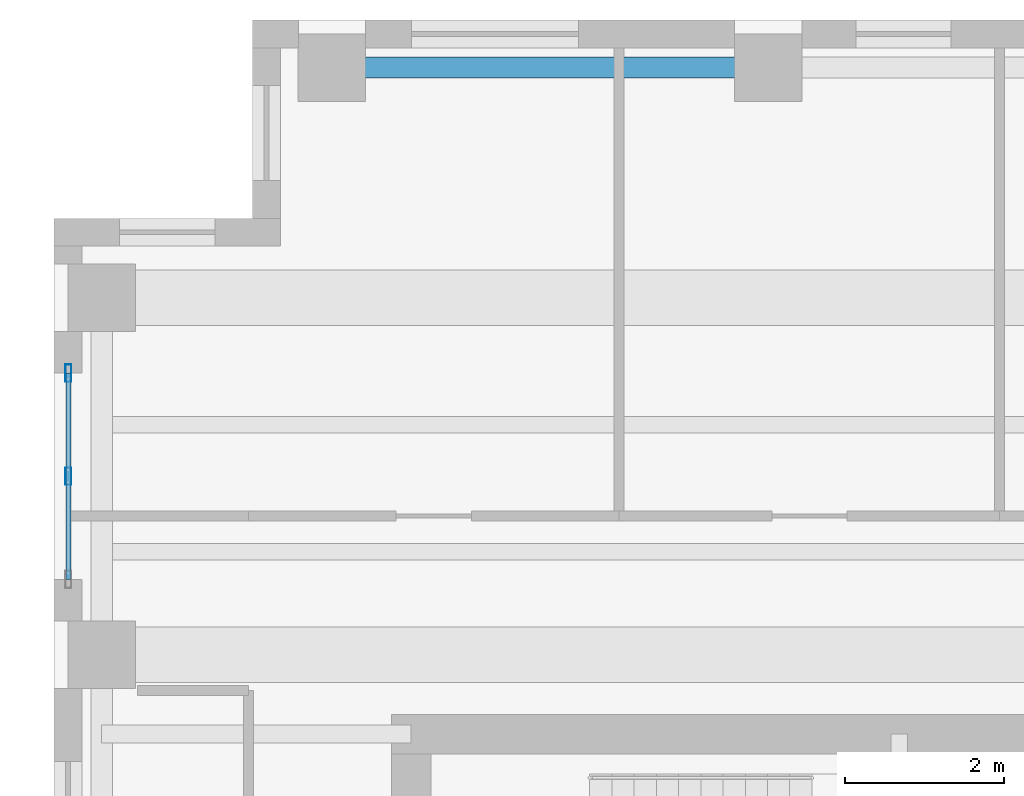
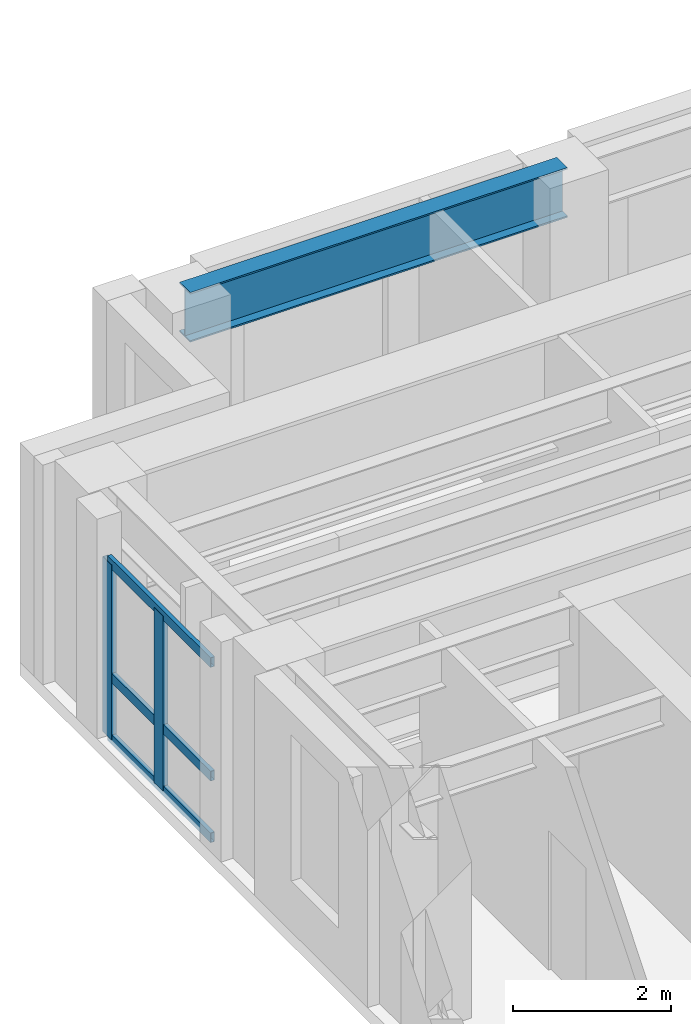
# One storey, part 4 of 13: 5 members, 1 beam, 1 element without a shape of its own.
"""IFC4 building model written with IfcOpenShell, lengths in metres."""

import ifcopenshell
import ifcopenshell.guid

model = None  # the IFC model being written
_history = None  # IfcOwnerHistory: only IFC2X3 demands one
_inside = {}  # id of a spatial element -> (the spatial element, [elements in it])
_under = {}  # id of a project, library or spatial element -> (it, [spatial elements below it])
_declared = {}  # id of a project -> (the project, [libraries it declares])
_typed = {}  # id of a type object -> (the type object, [elements of that type])
_made_of = {}  # id of a material, layer set ... -> (it, [elements and type objects made of it])


def new_model(schema):
    """Start an empty IFC model of exactly this schema.

    Asked for "IFC4X3", IfcOpenShell would pick the latest addendum, in which some entities
    have other attributes; the version numbers below select the first issue.
    IFC2X3 requires an IfcOwnerHistory on every rooted entity: one is made here for all.
    """
    global model, _history
    if schema == "IFC4X3":
        model = ifcopenshell.file(schema_version=(4, 3, 0, 0))
    else:
        model = ifcopenshell.file(schema=schema)
    _inside.clear()
    _under.clear()
    _declared.clear()
    _typed.clear()
    _made_of.clear()
    _history = None
    if model.schema == "IFC2X3":
        org = make("IfcOrganization", Name="unknown")
        user = make(
            "IfcPersonAndOrganization",
            ThePerson=make("IfcPerson", FamilyName="unknown"),
            TheOrganization=org,
        )
        app = make(
            "IfcApplication",
            ApplicationDeveloper=org,
            Version="unknown",
            ApplicationFullName="unknown",
            ApplicationIdentifier="unknown",
        )
        _history = make(
            "IfcOwnerHistory",
            OwningUser=user,
            OwningApplication=app,
            ChangeAction="ADDED",
            CreationDate=0,
        )
    return model


def make(cls, **values):
    """One entity of the class cls with the attributes given. An attribute that is None is left unset."""
    return model.create_entity(
        cls, **{name: value for name, value in values.items() if value is not None}
    )


def rooted(cls, **values):
    """An entity with a GlobalId (a new one), such as an element, a storey or a relation."""
    return make(cls, GlobalId=ifcopenshell.guid.new(), OwnerHistory=_history, **values)


def si_unit(unit_type, name, prefix=None):
    """IfcSIUnit, for example si_unit("LENGTHUNIT", "METRE", prefix="MILLI")."""
    return make("IfcSIUnit", UnitType=unit_type, Prefix=prefix, Name=name)


def assignment(units):
    """IfcUnitAssignment: the units of a project."""
    return None if units is None else make("IfcUnitAssignment", Units=units)


def point(xyz):
    """IfcCartesianPoint."""
    return None if xyz is None else make("IfcCartesianPoint", Coordinates=xyz)


def direction(xyz):
    """IfcDirection."""
    return None if xyz is None else make("IfcDirection", DirectionRatios=xyz)


def frame(location, z_axis=None, x_axis=None):
    """IfcAxis2Placement3D, a coordinate frame: its origin and axes. An axis left out is left unset."""
    return make(
        "IfcAxis2Placement3D",
        Location=point(location),
        Axis=direction(z_axis),
        RefDirection=direction(x_axis),
    )


def frame_2d(location, x_axis=None):
    """IfcAxis2Placement2D, a coordinate frame in the plane: its origin and x axis."""
    return make(
        "IfcAxis2Placement2D", Location=point(location), RefDirection=direction(x_axis)
    )


def origin():
    """The frame at (0, 0, 0) with its axes left unset."""
    return frame((0.0, 0.0, 0.0))


def origin_2d():
    """The frame at (0, 0) in the plane with its x axis left unset."""
    return frame_2d((0.0, 0.0))


def place(relative_to, where):
    """IfcLocalPlacement: puts the frame where relative to a parent placement (None: the world)."""
    return make(
        "IfcLocalPlacement", PlacementRelTo=relative_to, RelativePlacement=where
    )


def context(
    kind, dimensions, precision=None, world=None, true_north=None, identifier=None
):
    """IfcGeometricRepresentationContext, for example the 3D "Model" context."""
    return make(
        "IfcGeometricRepresentationContext",
        ContextIdentifier=identifier,
        ContextType=kind,
        CoordinateSpaceDimension=dimensions,
        Precision=precision,
        WorldCoordinateSystem=world,
        TrueNorth=true_north,
    )


def subcontext(parent, identifier, kind, view, scale=None):
    """IfcGeometricRepresentationSubContext, for example "Body" below "Model"."""
    return make(
        "IfcGeometricRepresentationSubContext",
        ContextIdentifier=identifier,
        ContextType=kind,
        ParentContext=parent,
        TargetScale=scale,
        TargetView=view,
    )


def project(units=None, contexts=None):
    """IfcProject with its units and contexts."""
    return rooted(
        "IfcProject",
        Name="project",
        RepresentationContexts=contexts,
        UnitsInContext=assignment(units),
    )


def spatial(cls, under=None, at=None, **own):
    """A site, building, storey or space (cls), placed at a placement, below another one or the project."""
    s = rooted(cls, ObjectPlacement=at, **own)
    if under is not None:
        _under.setdefault(under.id(), (under, []))[1].append(s)
    return s


def profile(cls, at=None, kind="AREA", **sizes):
    """A parametric profile (cls). Its sizes go by their IFC names, for example OverallWidth=200.0."""
    return make(cls, ProfileType=kind, Position=at, **sizes)


def hollow_rectangle(**sizes):
    """IfcRectangleHollowProfileDef."""
    return profile("IfcRectangleHollowProfileDef", **sizes)


def i_section(**sizes):
    """IfcIShapeProfileDef."""
    return profile("IfcIShapeProfileDef", **sizes)


def extrude(swept, where, along, depth):
    """IfcExtrudedAreaSolid: the profile swept, set in the frame where, extruded along a direction by depth."""
    return make(
        "IfcExtrudedAreaSolid",
        SweptArea=swept,
        Position=where,
        ExtrudedDirection=direction(along),
        Depth=depth,
    )


def shape(context_of_items, identifier, shape_type, items):
    """IfcShapeRepresentation: the items that make up one representation, for example the "Body"."""
    return make(
        "IfcShapeRepresentation",
        ContextOfItems=context_of_items,
        RepresentationIdentifier=identifier,
        RepresentationType=shape_type,
        Items=items,
    )


def source(mapping_origin, context_of_items, identifier, shape_type, items):
    """IfcRepresentationMap: a shape defined once, which mapped items show again and again."""
    return make(
        "IfcRepresentationMap",
        MappingOrigin=mapping_origin,
        MappedRepresentation=shape(context_of_items, identifier, shape_type, items),
    )


def transform(
    local_origin,
    x_axis=None,
    y_axis=None,
    z_axis=None,
    scale=None,
    scale2=None,
    scale3=None,
    uniform=True,
):
    """IfcCartesianTransformationOperator3D, or its non-uniform kind. x_axis, y_axis, z_axis: its Axis1, 2, 3."""
    if uniform:
        return make(
            "IfcCartesianTransformationOperator3D",
            Axis1=direction(x_axis),
            Axis2=direction(y_axis),
            LocalOrigin=point(local_origin),
            Scale=scale,
            Axis3=direction(z_axis),
        )
    return make(
        "IfcCartesianTransformationOperator3DnonUniform",
        Axis1=direction(x_axis),
        Axis2=direction(y_axis),
        LocalOrigin=point(local_origin),
        Scale=scale,
        Axis3=direction(z_axis),
        Scale2=scale2,
        Scale3=scale3,
    )


def mapped(mapping_source, mapping_target):
    """IfcMappedItem: shows the shape of a source again, moved by a transform."""
    return make(
        "IfcMappedItem", MappingSource=mapping_source, MappingTarget=mapping_target
    )


def material(Name=None, Category=None):
    """IfcMaterial."""
    return make("IfcMaterial", Name=Name, Category=Category)


def layer(
    of_material, thickness, ventilated=None, Name=None, Category=None, Priority=None
):
    """IfcMaterialLayer: one layer of a wall or slab, of a material (None: an air gap)."""
    return make(
        "IfcMaterialLayer",
        Material=of_material,
        LayerThickness=thickness,
        IsVentilated=ventilated,
        Name=Name,
        Category=Category,
        Priority=Priority,
    )


def layer_set(layers, Name=None):
    """IfcMaterialLayerSet."""
    return make("IfcMaterialLayerSet", MaterialLayers=layers, LayerSetName=Name)


def material_profile(
    of_material, cross_section, Name=None, Category=None, Priority=None
):
    """IfcMaterialProfile: a cross section and its material."""
    return make(
        "IfcMaterialProfile",
        Name=Name,
        Material=of_material,
        Profile=cross_section,
        Priority=Priority,
        Category=Category,
    )


def profile_set(profiles, Name=None, composite=None):
    """IfcMaterialProfileSet."""
    return make(
        "IfcMaterialProfileSet",
        Name=Name,
        MaterialProfiles=profiles,
        CompositeProfile=composite,
    )


def made_of(thing, what):
    """Note that an element or type object is made of a material, layer set ...; save() writes the relation."""
    if what is not None:
        _made_of.setdefault(what.id(), (what, []))[1].append(thing)
    return thing


def type_object(cls, material=None, **own):
    """A type object (cls), such as IfcWallType, which elements share."""
    return made_of(rooted(cls, **own), material)


def element(
    cls,
    number,
    at=None,
    inside=None,
    cuts=None,
    type_object=None,
    material=None,
    context=None,
    identifier="Body",
    shape_type=None,
    held_by="IfcProductDefinitionShape",
    body=None,
    shapes=None,
    **own,
):
    """One element of the class cls, such as IfcWall. Its Tag is "e" and its number.

    at: its placement. inside: the storey or other place that contains it. cuts: it is an
    opening in that element (IfcRelVoidsElement). A single representation is given by context,
    identifier, shape_type and body (its items); several are given by shapes. held_by: the class
    of the entity that holds the representations. save() writes the other relations.
    """
    e = rooted(cls, Tag="e%d" % number, ObjectPlacement=at, **own)
    if body is not None:
        shapes = [shape(context, identifier, shape_type, body)]
    if shapes is not None:
        e.Representation = make(held_by, Representations=shapes)
    if inside is not None:
        _inside.setdefault(inside.id(), (inside, []))[1].append(e)
    if cuts is not None:
        rooted(
            "IfcRelVoidsElement", RelatingBuildingElement=cuts, RelatedOpeningElement=e
        )
    if type_object is not None:
        _typed.setdefault(type_object.id(), (type_object, []))[1].append(e)
    return made_of(e, material)


def aggregate(whole, parts):
    """IfcRelAggregates: a whole, such as a stair, and the parts it consists of."""
    return rooted("IfcRelAggregates", RelatingObject=whole, RelatedObjects=parts)


def save(model, path):
    """Write the relations noted so far, then the file.

    IfcRelAggregates (storeys below a building ...), IfcRelContainedInSpatialStructure (elements
    in a storey), IfcRelDefinesByType, IfcRelAssociatesMaterial and IfcRelDeclares: one each for
    every whole, place, type object, material and project.
    """
    for whole, parts in _under.values():
        aggregate(whole, parts)
    for where, things in _inside.values():
        rooted(
            "IfcRelContainedInSpatialStructure",
            RelatedElements=things,
            RelatingStructure=where,
        )
    for kind, things in _typed.values():
        rooted("IfcRelDefinesByType", RelatedObjects=things, RelatingType=kind)
    for what, things in _made_of.values():
        rooted("IfcRelAssociatesMaterial", RelatedObjects=things, RelatingMaterial=what)
    for by, libraries in _declared.values():
        rooted("IfcRelDeclares", RelatingContext=by, RelatedDefinitions=libraries)
    model.write(path)


model = new_model("IFC4")

# Units and contexts
model_context = context("Model", 3, precision=1e-05, world=origin(), true_north=direction((0.0, 1.0)))
body_context = subcontext(model_context, "Body", "Model", "MODEL_VIEW")
ifc_project = project(units=[si_unit("LENGTHUNIT", "METRE"), si_unit("AREAUNIT", "SQUARE_METRE"), si_unit("VOLUMEUNIT", "CUBIC_METRE"), si_unit("PLANEANGLEUNIT", "RADIAN"), si_unit("MASSUNIT", "GRAM", prefix="KILO")], contexts=[model_context])

# Site, building, storey
site_placement = place(None, origin())
site = spatial("IfcSite", under=ifc_project, at=site_placement, CompositionType="ELEMENT")
building_placement = place(site_placement, origin())
building = spatial("IfcBuilding", under=site, at=building_placement, Name="Kharzan Plaza Tower", CompositionType="ELEMENT")
storey_placement = place(building_placement, frame((0.0, 0.0, 259.199951171875)))
storey = spatial("IfcBuildingStorey", under=building, at=storey_placement, Name="L70", CompositionType="ELEMENT", Elevation=259.199951171875)

# Curtain wall, members
ifc_material_1 = material(Name="Unitised Bronze-Anodized Aluminium and Low-E Glass", Category="aluminium")
ifc_layer = layer(ifc_material_1, 0.199951171875)
ifc_layer_set = layer_set([ifc_layer], Name="Unitised Bronze-Anodized Aluminium and Low-E Glass")
curtain_wall_type = type_object("IfcCurtainWallType", Name="CW-EXEC-5", PredefinedType="NOTDEFINED", material=ifc_layer_set)
curtain_wall_placement = place(storey_placement, origin())
curtain_wall = element("IfcCurtainWall", 1, at=curtain_wall_placement, inside=storey, type_object=curtain_wall_type, Name="L70 Upper Executive Setback Panoramic Curtain Wall", PredefinedType="NOTDEFINED")
ifc_material_2 = material(Name="Anodized Bronze Aluminium", Category="aluminium")
ifc_material_profile_1 = material_profile(ifc_material_2, hollow_rectangle(XDim=0.074951171875, YDim=0.219970703125, WallThickness=0.00390625, at=origin_2d()), Name="ALU-M220x75x4")
ifc_profile_set_1 = profile_set([ifc_material_profile_1], Name="Anodized Bronze Aluminium")
member_type_1 = type_object("IfcMemberType", Name="MEM-CW-MUL200", PredefinedType="MULLION", material=ifc_profile_set_1)
shared_shape_1 = source(origin(), body_context, "Body", "SweptSolid", [
    extrude(hollow_rectangle(XDim=0.074951171875, YDim=0.219970703125, WallThickness=0.00390625, at=origin_2d()), origin(), (0.0, 0.0, 1.0), 2.699951171875),
])
member_1_placement = place(storey_placement, frame((0.179931640625, 32.75, 0.0), z_axis=(0.0, 0.0, 1.0), x_axis=(1.0, 0.0, 0.0)))
member_1 = element("IfcMember", 2, at=member_1_placement, type_object=member_type_1, Name="L70 Curtain-Wall Mullion 01", PredefinedType="MULLION", context=body_context, shape_type="MappedRepresentation", body=[
    mapped(shared_shape_1, transform((0.0, 0.0, 0.0), x_axis=(1.0, 0.0, 0.0), y_axis=(0.0, 1.0, 0.0), z_axis=(0.0, 0.0, 1.0))),
])
member_2_placement = place(storey_placement, frame((0.179931640625, 34.050048828125, 0.0), z_axis=(0.0, 0.0, 1.0), x_axis=(1.0, 0.0, 0.0)))
member_2 = element("IfcMember", 3, at=member_2_placement, type_object=member_type_1, Name="L70 Curtain-Wall Mullion 02", PredefinedType="MULLION", context=body_context, shape_type="MappedRepresentation", body=[
    mapped(shared_shape_1, transform((0.0, 0.0, 0.0), x_axis=(1.0, 0.0, 0.0), y_axis=(0.0, 1.0, 0.0), z_axis=(0.0, 0.0, 1.0))),
])

# Beam
ifc_material_3 = material(Name="Steel S355", Category="steel")
ifc_material_profile_2 = material_profile(ifc_material_3, i_section(OverallWidth=0.26708984375, OverallDepth=0.76611328125, WebThickness=0.014892578125, FlangeThickness=0.023681640625, at=origin_2d()), Name="W760x185")
ifc_profile_set_2 = profile_set([ifc_material_profile_2], Name="Steel S355")
beam_type = type_object("IfcBeamType", Name="BM-SP760B", PredefinedType="SPANDREL", material=ifc_profile_set_2)
shared_shape_2 = source(origin(), body_context, "Body", "SweptSolid", [
    extrude(i_section(OverallWidth=0.26708984375, OverallDepth=0.76611328125, WebThickness=0.014892578125, FlangeThickness=0.023681640625, at=origin_2d()), origin(), (0.0, 0.0, 1.0), 5.5),
])
beam_placement = place(storey_placement, frame((3.5, 37.89990234375, 3.01708984375), z_axis=(1.0, 0.0, 0.0), x_axis=(0.0, 1.0, 0.0)))
element("IfcBeam", 4, at=beam_placement, inside=storey, type_object=beam_type, Name="L70 Perimeter Tube Spandrel", PredefinedType="SPANDREL", context=body_context, shape_type="MappedRepresentation", body=[
    mapped(shared_shape_2, transform((0.0, 0.0, 0.0), x_axis=(1.0, 0.0, 0.0), y_axis=(0.0, 1.0, 0.0), z_axis=(0.0, 0.0, 1.0))),
])

# Member
ifc_material_profile_3 = material_profile(ifc_material_2, hollow_rectangle(XDim=0.06005859375, YDim=0.14990234375, WallThickness=0.00341796875, at=origin_2d()), Name="ALU-T150x60x3.5")
ifc_profile_set_3 = profile_set([ifc_material_profile_3], Name="Anodized Bronze Aluminium")
member_type_2 = type_object("IfcMemberType", Name="MEM-CW-TRN150", PredefinedType="USERDEFINED", material=ifc_profile_set_3)
shared_shape_3 = source(origin(), body_context, "Body", "SweptSolid", [
    extrude(hollow_rectangle(XDim=0.06005859375, YDim=0.14990234375, WallThickness=0.00341796875, at=origin_2d()), origin(), (0.0, 0.0, 1.0), 2.60009765625),
])
member_3_placement = place(storey_placement, frame((0.179931640625, 31.449951171875, 0.0), z_axis=(0.0, 1.0, 0.0), x_axis=(-1.0, 0.0, 0.0)))
member_3 = element("IfcMember", 5, at=member_3_placement, type_object=member_type_2, Name="L70 Curtain-Wall Transom 1", ObjectType="TRANSOM", PredefinedType="USERDEFINED", context=body_context, shape_type="MappedRepresentation", body=[
    mapped(shared_shape_3, transform((0.0, 0.0, 0.0), x_axis=(1.0, 0.0, 0.0), y_axis=(0.0, 1.0, 0.0), z_axis=(0.0, 0.0, 1.0))),
])

member_4_placement = place(storey_placement, frame((0.179931640625, 31.449951171875, 0.949951171875), z_axis=(0.0, 1.0, 0.0), x_axis=(-1.0, 0.0, 0.0)))
member_4 = element("IfcMember", 6, at=member_4_placement, type_object=member_type_2, Name="L70 Curtain-Wall Transom 2", ObjectType="TRANSOM", PredefinedType="USERDEFINED", context=body_context, shape_type="MappedRepresentation", body=[
    mapped(shared_shape_3, transform((0.0, 0.0, 0.0), x_axis=(1.0, 0.0, 0.0), y_axis=(0.0, 1.0, 0.0), z_axis=(0.0, 0.0, 1.0))),
])

member_5_placement = place(storey_placement, frame((0.179931640625, 31.449951171875, 2.699951171875), z_axis=(0.0, 1.0, 0.0), x_axis=(-1.0, 0.0, 0.0)))
member_5 = element("IfcMember", 7, at=member_5_placement, type_object=member_type_2, Name="L70 Curtain-Wall Transom 3", ObjectType="TRANSOM", PredefinedType="USERDEFINED", context=body_context, shape_type="MappedRepresentation", body=[
    mapped(shared_shape_3, transform((0.0, 0.0, 0.0), x_axis=(1.0, 0.0, 0.0), y_axis=(0.0, 1.0, 0.0), z_axis=(0.0, 0.0, 1.0))),
])

aggregate(curtain_wall, [member_1, member_2, member_3, member_4, member_5])

save(model, "model.ifc")
